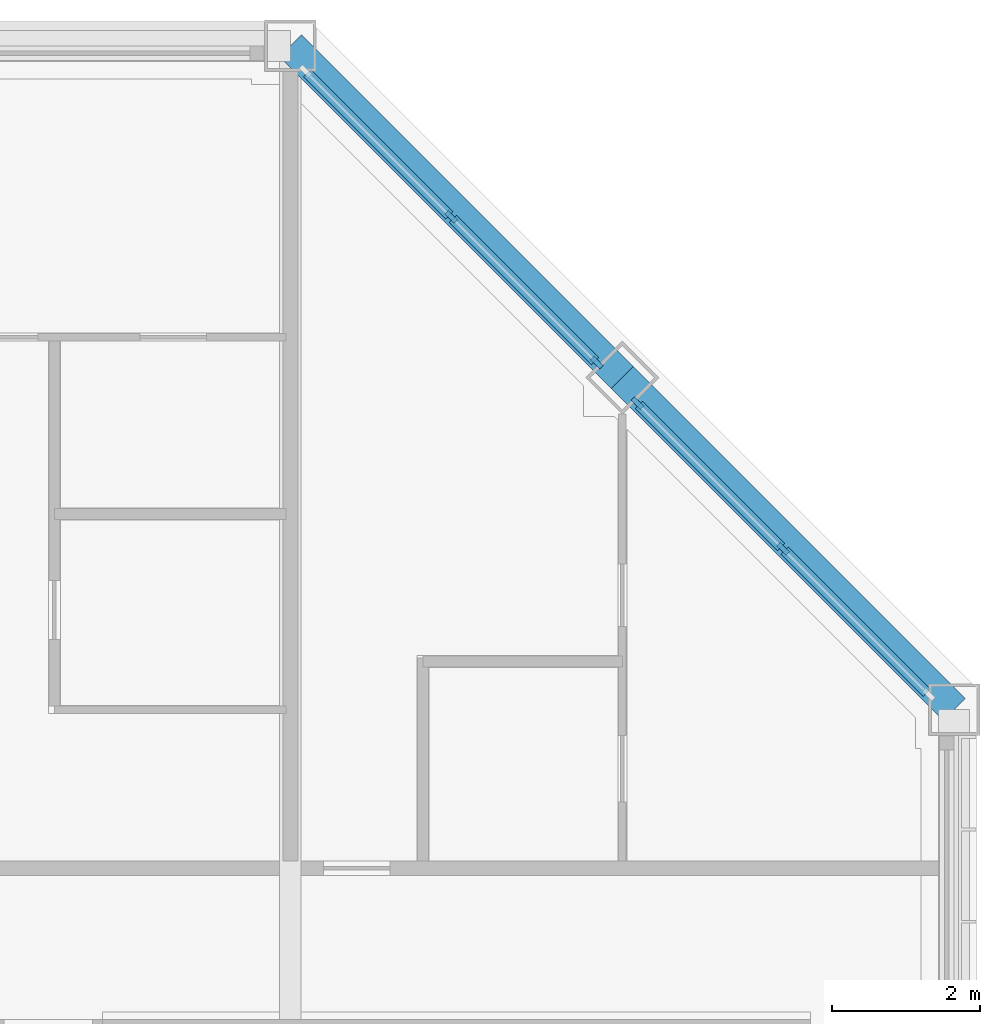
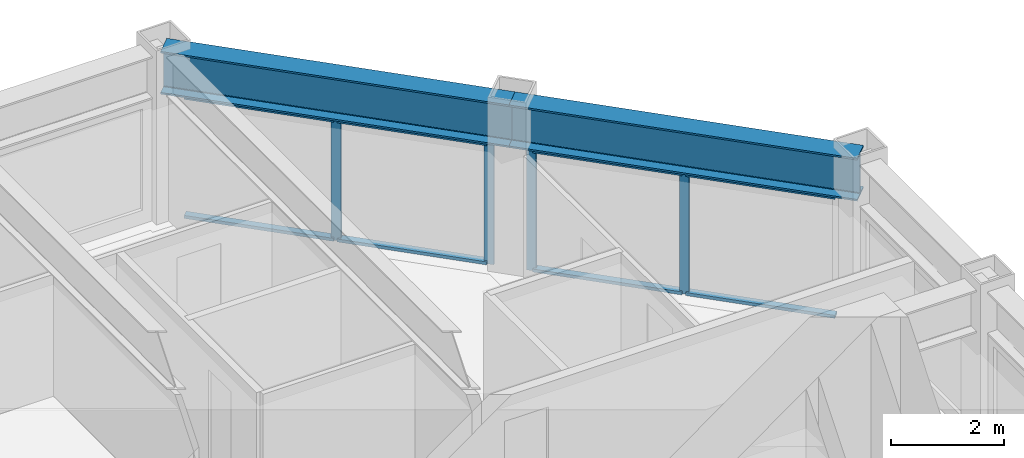
# One storey, part 7 of 18: 12 members, 2 beams, 2 elements without a shape of their own.
"""IFC4 building model written with IfcOpenShell, lengths in metres."""

from ifc_helpers import new_model, si_unit, direction, frame, origin, origin_2d, place, context, subcontext, project, spatial, rectangle, i_section, extrude, material, material_profile, profile_set, type_object, element, aggregate, save


model = new_model("IFC4")

# Units and contexts
model_context = context("Model", 3, precision=1e-05, world=origin(), true_north=direction((0.0, 1.0)))
body_context = subcontext(model_context, "Body", "Model", "MODEL_VIEW")
ifc_project = project(units=[si_unit("LENGTHUNIT", "METRE"), si_unit("AREAUNIT", "SQUARE_METRE"), si_unit("VOLUMEUNIT", "CUBIC_METRE"), si_unit("PLANEANGLEUNIT", "RADIAN"), si_unit("MASSUNIT", "GRAM", prefix="KILO")], contexts=[model_context])

# Site, building, storey
site_placement = place(None, origin())
site = spatial("IfcSite", under=ifc_project, at=site_placement, CompositionType="ELEMENT")
building_placement = place(site_placement, origin())
building = spatial("IfcBuilding", under=site, at=building_placement, Name="Msasa Ring Tower", CompositionType="ELEMENT")
storey_placement = place(building_placement, frame((0.0, 0.0, 227.050048828125)))
storey = spatial("IfcBuildingStorey", under=building, at=storey_placement, Name="L59", CompositionType="ELEMENT", Elevation=227.050048828125)

# Curtain wall, members
ifc_material_1 = material(Name="Aluminium curtain wall with clear glass", Category="aluminium")
curtain_wall_type = type_object("IfcCurtainWallType", Name="CW-C CHAMFER CORNER CURTAIN WALL", PredefinedType="NOTDEFINED", material=ifc_material_1)
curtain_wall_1_placement = place(storey_placement, origin())
curtain_wall_1 = element("IfcCurtainWall", 1, at=curtain_wall_1_placement, inside=storey, type_object=curtain_wall_type, Name="Chamfer corner curtain wall NE L59", PredefinedType="NOTDEFINED")
ifc_material_2 = material(Name="Aluminium mullion", Category="aluminium")
ifc_material_profile_1 = material_profile(ifc_material_2, rectangle(XDim=0.06494140625, YDim=0.179931640625, at=origin_2d()), Name="AL 65x180")
ifc_profile_set_1 = profile_set([ifc_material_profile_1], Name="Aluminium mullion")
member_type_1 = type_object("IfcMemberType", Name="CW-C MULLION 65x180", PredefinedType="MULLION", material=ifc_profile_set_1)
member_1_placement = place(storey_placement, frame((15.4052734375, 15.953369140625, 0.0), z_axis=(0.0, 0.0, 1.0), x_axis=(-0.707106781187, -0.707106781187, 0.0)))
member_1 = element("IfcMember", 2, at=member_1_placement, type_object=member_type_1, Name="CW-C mullion 1", PredefinedType="MULLION", context=body_context, shape_type="SweptSolid", body=[
    extrude(rectangle(XDim=0.06494140625, YDim=0.179931640625, at=origin_2d()), origin(), (0.0, 0.0, 1.0), 2.62890625),
])
member_2_placement = place(storey_placement, frame((13.42919921875, 17.92919921875, 0.0), z_axis=(0.0, 0.0, 1.0), x_axis=(-0.707106781187, -0.707106781187, 0.0)))
member_2 = element("IfcMember", 3, at=member_2_placement, type_object=member_type_1, Name="CW-C mullion 2", PredefinedType="MULLION", context=body_context, shape_type="SweptSolid", body=[
    extrude(rectangle(XDim=0.06494140625, YDim=0.179931640625, at=origin_2d()), origin(), (0.0, 0.0, 1.0), 2.62890625),
])

curtain_wall_2_placement = place(storey_placement, origin())
curtain_wall_2 = element("IfcCurtainWall", 4, at=curtain_wall_2_placement, inside=storey, type_object=curtain_wall_type, Name="Chamfer corner curtain wall NE L59", PredefinedType="NOTDEFINED")
member_3_placement = place(storey_placement, frame((17.92919921875, 13.42919921875, 0.0), z_axis=(0.0, 0.0, 1.0), x_axis=(-0.707106781187, -0.707106781187, 0.0)))
member_3 = element("IfcMember", 5, at=member_3_placement, type_object=member_type_1, Name="CW-C mullion 2", PredefinedType="MULLION", context=body_context, shape_type="SweptSolid", body=[
    extrude(rectangle(XDim=0.06494140625, YDim=0.179931640625, at=origin_2d()), origin(), (0.0, 0.0, 1.0), 2.62890625),
])
member_4_placement = place(storey_placement, frame((15.953369140625, 15.4052734375, 0.0), z_axis=(0.0, 0.0, 1.0), x_axis=(-0.707106781187, -0.707106781187, 0.0)))
member_4 = element("IfcMember", 6, at=member_4_placement, type_object=member_type_1, Name="CW-C mullion 3", PredefinedType="MULLION", context=body_context, shape_type="SweptSolid", body=[
    extrude(rectangle(XDim=0.06494140625, YDim=0.179931640625, at=origin_2d()), origin(), (0.0, 0.0, 1.0), 2.62890625),
])

# Member
ifc_material_3 = material(Name="Aluminium transom", Category="aluminium")
ifc_material_profile_2 = material_profile(ifc_material_3, rectangle(XDim=0.139892578125, YDim=0.06494140625, at=origin_2d()), Name="AL 65x140")
ifc_profile_set_2 = profile_set([ifc_material_profile_2], Name="Aluminium transom")
member_type_2 = type_object("IfcMemberType", Name="CW-C TRANSOM 65x140", PredefinedType="USERDEFINED", material=ifc_profile_set_2)
member_5_placement = place(storey_placement, frame((15.38232421875, 15.976318359375, 0.032470703125), z_axis=(-0.707106781187, 0.707106781187, 0.0), x_axis=(-0.707106781187, -0.707106781187, 0.0)))
member_5 = element("IfcMember", 7, at=member_5_placement, type_object=member_type_2, Name="CW-C transom 1.1", ObjectType="TRANSOM", PredefinedType="USERDEFINED", context=body_context, shape_type="SweptSolid", body=[
    extrude(rectangle(XDim=0.139892578125, YDim=0.06494140625, at=origin_2d()), origin(), (0.0, 0.0, 1.0), 2.729248046875),
])

member_6_placement = place(storey_placement, frame((15.38232421875, 15.976318359375, 2.596435546875), z_axis=(-0.707106781187, 0.707106781187, 0.0), x_axis=(-0.707106781187, -0.707106781187, 0.0)))
member_6 = element("IfcMember", 8, at=member_6_placement, type_object=member_type_2, Name="CW-C transom 1.2", ObjectType="TRANSOM", PredefinedType="USERDEFINED", context=body_context, shape_type="SweptSolid", body=[
    extrude(rectangle(XDim=0.139892578125, YDim=0.06494140625, at=origin_2d()), origin(), (0.0, 0.0, 1.0), 2.729248046875),
])

member_7_placement = place(storey_placement, frame((13.40625, 17.952392578125, 0.032470703125), z_axis=(-0.707106781187, 0.707106781187, 0.0), x_axis=(-0.707106781187, -0.707106781187, 0.0)))
member_7 = element("IfcMember", 9, at=member_7_placement, type_object=member_type_2, Name="CW-C transom 2.1", ObjectType="TRANSOM", PredefinedType="USERDEFINED", context=body_context, shape_type="SweptSolid", body=[
    extrude(rectangle(XDim=0.139892578125, YDim=0.06494140625, at=origin_2d()), origin(), (0.0, 0.0, 1.0), 2.729248046875),
])

member_8_placement = place(storey_placement, frame((13.40625, 17.952392578125, 2.596435546875), z_axis=(-0.707106781187, 0.707106781187, 0.0), x_axis=(-0.707106781187, -0.707106781187, 0.0)))
member_8 = element("IfcMember", 10, at=member_8_placement, type_object=member_type_2, Name="CW-C transom 2.2", ObjectType="TRANSOM", PredefinedType="USERDEFINED", context=body_context, shape_type="SweptSolid", body=[
    extrude(rectangle(XDim=0.139892578125, YDim=0.06494140625, at=origin_2d()), origin(), (0.0, 0.0, 1.0), 2.729248046875),
])

aggregate(curtain_wall_1, [member_1, member_2, member_5, member_6, member_7, member_8])

member_9_placement = place(storey_placement, frame((19.88232421875, 11.476318359375, 0.032470703125), z_axis=(-0.707106781187, 0.707106781187, 0.0), x_axis=(-0.707106781187, -0.707106781187, 0.0)))
member_9 = element("IfcMember", 11, at=member_9_placement, type_object=member_type_2, Name="CW-C transom 1.1", ObjectType="TRANSOM", PredefinedType="USERDEFINED", context=body_context, shape_type="SweptSolid", body=[
    extrude(rectangle(XDim=0.139892578125, YDim=0.06494140625, at=origin_2d()), origin(), (0.0, 0.0, 1.0), 2.729248046875),
])

member_10_placement = place(storey_placement, frame((19.88232421875, 11.476318359375, 2.596435546875), z_axis=(-0.707106781187, 0.707106781187, 0.0), x_axis=(-0.707106781187, -0.707106781187, 0.0)))
member_10 = element("IfcMember", 12, at=member_10_placement, type_object=member_type_2, Name="CW-C transom 1.2", ObjectType="TRANSOM", PredefinedType="USERDEFINED", context=body_context, shape_type="SweptSolid", body=[
    extrude(rectangle(XDim=0.139892578125, YDim=0.06494140625, at=origin_2d()), origin(), (0.0, 0.0, 1.0), 2.729248046875),
])

member_11_placement = place(storey_placement, frame((17.90625, 13.452392578125, 0.032470703125), z_axis=(-0.707106781187, 0.707106781187, 0.0), x_axis=(-0.707106781187, -0.707106781187, 0.0)))
member_11 = element("IfcMember", 13, at=member_11_placement, type_object=member_type_2, Name="CW-C transom 2.1", ObjectType="TRANSOM", PredefinedType="USERDEFINED", context=body_context, shape_type="SweptSolid", body=[
    extrude(rectangle(XDim=0.139892578125, YDim=0.06494140625, at=origin_2d()), origin(), (0.0, 0.0, 1.0), 2.729248046875),
])

member_12_placement = place(storey_placement, frame((17.90625, 13.452392578125, 2.596435546875), z_axis=(-0.707106781187, 0.707106781187, 0.0), x_axis=(-0.707106781187, -0.707106781187, 0.0)))
member_12 = element("IfcMember", 14, at=member_12_placement, type_object=member_type_2, Name="CW-C transom 2.2", ObjectType="TRANSOM", PredefinedType="USERDEFINED", context=body_context, shape_type="SweptSolid", body=[
    extrude(rectangle(XDim=0.139892578125, YDim=0.06494140625, at=origin_2d()), origin(), (0.0, 0.0, 1.0), 2.729248046875),
])

aggregate(curtain_wall_2, [member_3, member_4, member_9, member_10, member_11, member_12])

# Beams
ifc_material_4 = material(Name="Steel S355", Category="steel")
ifc_material_profile_3 = material_profile(ifc_material_4, i_section(OverallWidth=0.42041015625, OverallDepth=0.9208984375, WebThickness=0.021484375, FlangeThickness=0.03662109375, FilletRadius=0.024169921875, at=origin_2d()), Name="UB 914x419x388")
ifc_profile_set_3 = profile_set([ifc_material_profile_3], Name="Steel S355")
beam_type = type_object("IfcBeamType", Name="SB1 UB 914x419x388", PredefinedType="SPANDREL", material=ifc_profile_set_3)
for number, where, z_axis, x_axis, name in (
    (15, (20.25, 11.25, 3.08935546875), (-0.707106781187, 0.707106781187, 0.0), (-0.707106781187, -0.707106781187, 0.0), "Spandrel E+11.25 to NE under L60"),
    (16, (15.75, 15.75, 3.08935546875), (-0.707106781187, 0.707106781187, 0.0), (-0.707106781187, -0.707106781187, 0.0), "Spandrel NE to N+11.25 under L60"),
):
    element("IfcBeam", number, at=place(storey_placement, frame(where, z_axis=z_axis, x_axis=x_axis)), inside=storey, type_object=beam_type, Name=name, PredefinedType="SPANDREL", context=body_context, shape_type="SweptSolid", body=[
        extrude(i_section(OverallWidth=0.42041015625, OverallDepth=0.9208984375, WebThickness=0.021484375, FlangeThickness=0.03662109375, FilletRadius=0.024169921875, at=origin_2d()), origin(), (0.0, 0.0, 1.0), 6.364013671875),
    ])

save(model, "model.ifc")
